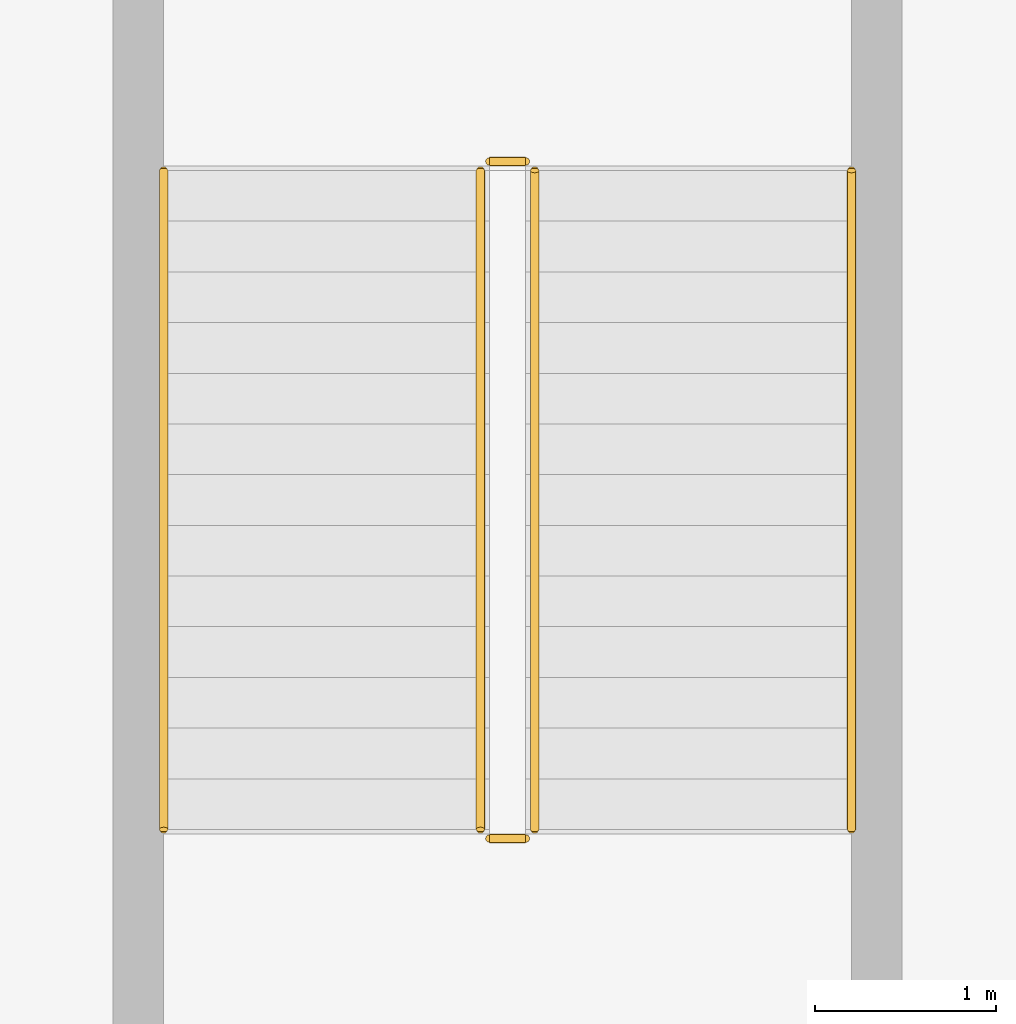
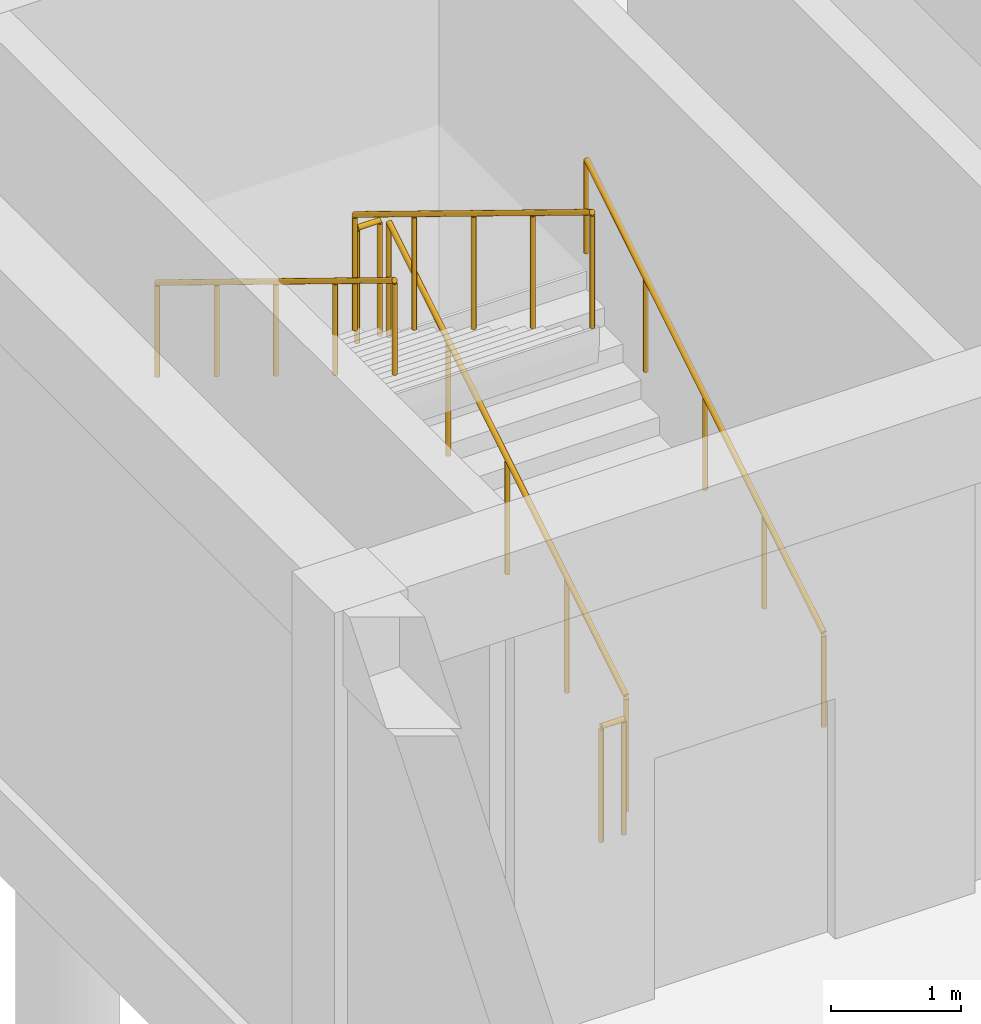
# One storey, part 36 of 51: 6 railings.
"""IFC4 building model written with IfcOpenShell, lengths in metres."""

from ifc_helpers import new_model, si_unit, direction, frame, origin, origin_2d, place, context, subcontext, project, spatial, circle, extrude, material, type_object, element, save


model = new_model("IFC4")

# Units and contexts
model_context = context("Model", 3, precision=1e-05, world=origin(), true_north=direction((0.0, 1.0)))
body_context = subcontext(model_context, "Body", "Model", "MODEL_VIEW")
ifc_project = project(units=[si_unit("LENGTHUNIT", "METRE"), si_unit("AREAUNIT", "SQUARE_METRE"), si_unit("VOLUMEUNIT", "CUBIC_METRE"), si_unit("PLANEANGLEUNIT", "RADIAN"), si_unit("MASSUNIT", "GRAM", prefix="KILO")], contexts=[model_context])

# Site, building, storey
site_placement = place(None, origin())
site = spatial("IfcSite", under=ifc_project, at=site_placement, CompositionType="ELEMENT")
building_placement = place(site_placement, origin())
building = spatial("IfcBuilding", under=site, at=building_placement, Name="Varncliffe General Hospital", CompositionType="ELEMENT")
storey_placement = place(building_placement, frame((0.0, 0.0, -4.800048828125)))
storey = spatial("IfcBuildingStorey", under=building, at=storey_placement, Name="B1", CompositionType="ELEMENT", Elevation=-4.800048828125)

# Railings
ifc_material = material(Name="Powder-coated hospital steel guardrail and handrail", Category="steel")
railing_type_1 = type_object("IfcRailingType", Name="Stair and Ramp Handrail HR46", PredefinedType="HANDRAIL", material=ifc_material)
railing_1_placement = place(storey_placement, frame((64.14990234375, 17.60009765625, 0.346923828125)))
element("IfcRailing", 1, at=railing_1_placement, inside=storey, type_object=railing_type_1, Name="B1 ST09 stair handrail 1", PredefinedType="HANDRAIL", context=body_context, shape_type="SweptSolid", body=[
    extrude(circle(Radius=0.02392578125, at=origin_2d()), frame((0.0, 0.0, 0.8759765625), z_axis=(0.0, 0.852850264322, 0.5221555579), x_axis=(-1.0, 0.0, 0.0)), (0.0, 0.0, 1.0), 4.267822265625),
    extrude(circle(Radius=0.02099609375, at=origin_2d()), origin(), (0.0, 0.0, 1.0), 0.851806640625),
    extrude(circle(Radius=0.02099609375, at=origin_2d()), frame((0.0, 0.909912109375, 0.55712890625)), (0.0, 0.0, 1.0), 0.851806640625),
    extrude(circle(Radius=0.02099609375, at=origin_2d()), frame((0.0, 1.81982421875, 1.1142578125)), (0.0, 0.0, 1.0), 0.851806640625),
    extrude(circle(Radius=0.02099609375, at=origin_2d()), frame((0.0, 2.72998046875, 1.67138671875)), (0.0, 0.0, 1.0), 0.851806640625),
    extrude(circle(Radius=0.02099609375, at=origin_2d()), frame((0.0, 3.639892578125, 2.228515625)), (0.0, 0.0, 1.0), 0.851806640625),
])
railing_2_placement = place(storey_placement, frame((60.35009765625, 21.239990234375, 2.746826171875)))
element("IfcRailing", 2, at=railing_2_placement, inside=storey, type_object=railing_type_1, Name="B1 ST09 stair handrail 2", PredefinedType="HANDRAIL", context=body_context, shape_type="SweptSolid", body=[
    extrude(circle(Radius=0.02392578125, at=origin_2d()), frame((0.0, 0.0, 0.8759765625), z_axis=(0.0, -0.852824790078, 0.522197163366), x_axis=(1.0, 0.0, 0.0)), (0.0, 0.0, 1.0), 4.26806640625),
    extrude(circle(Radius=0.02099609375, at=origin_2d()), origin(), (0.0, 0.0, 1.0), 0.851806640625),
    extrude(circle(Radius=0.02099609375, at=origin_2d()), frame((0.0, -0.909912109375, 0.55712890625)), (0.0, 0.0, 1.0), 0.851806640625),
    extrude(circle(Radius=0.02099609375, at=origin_2d()), frame((0.0, -1.81982421875, 1.1142578125)), (0.0, 0.0, 1.0), 0.851806640625),
    extrude(circle(Radius=0.02099609375, at=origin_2d()), frame((0.0, -2.72998046875, 1.671630859375)), (0.0, 0.0, 1.0), 0.851806640625),
    extrude(circle(Radius=0.02099609375, at=origin_2d()), frame((0.0, -3.639892578125, 2.228759765625)), (0.0, 0.0, 1.0), 0.851806640625),
])
railing_type_2 = type_object("IfcRailingType", Name="Stairwell Guardrail SG49", PredefinedType="GUARDRAIL", material=ifc_material)
railing_3_placement = place(storey_placement, frame((62.39990234375, 17.60009765625, 0.17138671875)))
element("IfcRailing", 3, at=railing_3_placement, inside=storey, type_object=railing_type_2, Name="B1 ST09 stair guard 1", PredefinedType="GUARDRAIL", context=body_context, shape_type="SweptSolid", body=[
    extrude(circle(Radius=0.02392578125, at=origin_2d()), frame((0.0, 0.0, 1.076171875), z_axis=(0.0, 0.852824790078, 0.522197163366), x_axis=(-1.0, 0.0, 0.0)), (0.0, 0.0, 1.0), 4.26806640625),
    extrude(circle(Radius=0.02099609375, at=origin_2d()), origin(), (0.0, 0.0, 1.0), 1.052001953125),
    extrude(circle(Radius=0.02099609375, at=origin_2d()), frame((0.0, 0.909912109375, 0.55712890625)), (0.0, 0.0, 1.0), 1.052001953125),
    extrude(circle(Radius=0.02099609375, at=origin_2d()), frame((0.0, 1.81982421875, 1.1142578125)), (0.0, 0.0, 1.0), 1.052001953125),
    extrude(circle(Radius=0.02099609375, at=origin_2d()), frame((0.0, 2.72998046875, 1.671630859375)), (0.0, 0.0, 1.0), 1.052001953125),
    extrude(circle(Radius=0.02099609375, at=origin_2d()), frame((0.0, 3.639892578125, 2.228759765625)), (0.0, 0.0, 1.0), 1.052001953125),
])
railing_4_placement = place(storey_placement, frame((62.35009765625, 21.2900390625, 2.400146484375)))
element("IfcRailing", 4, at=railing_4_placement, inside=storey, type_object=railing_type_2, Name="B1 ST09 stair guard 2", PredefinedType="GUARDRAIL", context=body_context, shape_type="SweptSolid", body=[
    extrude(circle(Radius=0.02392578125, at=origin_2d()), frame((0.0, 0.0, 1.076171875), z_axis=(-1.0, 0.0, 0.0), x_axis=(0.0, -1.0, 0.0)), (0.0, 0.0, 1.0), 0.2001953125),
    extrude(circle(Radius=0.02099609375, at=origin_2d()), origin(), (0.0, 0.0, 1.0), 1.052001953125),
    extrude(circle(Radius=0.02099609375, at=origin_2d()), frame((-0.2001953125, 0.0, 0.0)), (0.0, 0.0, 1.0), 1.052001953125),
])
railing_5_placement = place(storey_placement, frame((62.10009765625, 21.239990234375, 2.571533203125)))
element("IfcRailing", 5, at=railing_5_placement, inside=storey, type_object=railing_type_2, Name="B1 ST09 stair guard 3", PredefinedType="GUARDRAIL", context=body_context, shape_type="SweptSolid", body=[
    extrude(circle(Radius=0.02392578125, at=origin_2d()), frame((0.0, 0.0, 1.076171875), z_axis=(0.0, -0.852850264322, 0.5221555579), x_axis=(1.0, 0.0, 0.0)), (0.0, 0.0, 1.0), 4.267822265625),
    extrude(circle(Radius=0.02099609375, at=origin_2d()), origin(), (0.0, 0.0, 1.0), 1.052001953125),
    extrude(circle(Radius=0.02099609375, at=origin_2d()), frame((0.0, -0.909912109375, 0.55712890625)), (0.0, 0.0, 1.0), 1.052001953125),
    extrude(circle(Radius=0.02099609375, at=origin_2d()), frame((0.0, -1.81982421875, 1.1142578125)), (0.0, 0.0, 1.0), 1.052001953125),
    extrude(circle(Radius=0.02099609375, at=origin_2d()), frame((0.0, -2.72998046875, 1.67138671875)), (0.0, 0.0, 1.0), 1.052001953125),
    extrude(circle(Radius=0.02099609375, at=origin_2d()), frame((0.0, -3.639892578125, 2.228515625)), (0.0, 0.0, 1.0), 1.052001953125),
])
railing_6_placement = place(storey_placement, frame((62.35009765625, 17.550048828125, 0.0)))
element("IfcRailing", 6, at=railing_6_placement, inside=storey, type_object=railing_type_2, Name="B1 ST09 stair guard 4", PredefinedType="GUARDRAIL", context=body_context, shape_type="SweptSolid", body=[
    extrude(circle(Radius=0.02392578125, at=origin_2d()), frame((0.0, 0.0, 1.076171875), z_axis=(-1.0, 0.0, 0.0), x_axis=(0.0, -1.0, 0.0)), (0.0, 0.0, 1.0), 0.2001953125),
    extrude(circle(Radius=0.02099609375, at=origin_2d()), origin(), (0.0, 0.0, 1.0), 1.052001953125),
    extrude(circle(Radius=0.02099609375, at=origin_2d()), frame((-0.2001953125, 0.0, 0.0)), (0.0, 0.0, 1.0), 1.052001953125),
])

save(model, "model.ifc")
